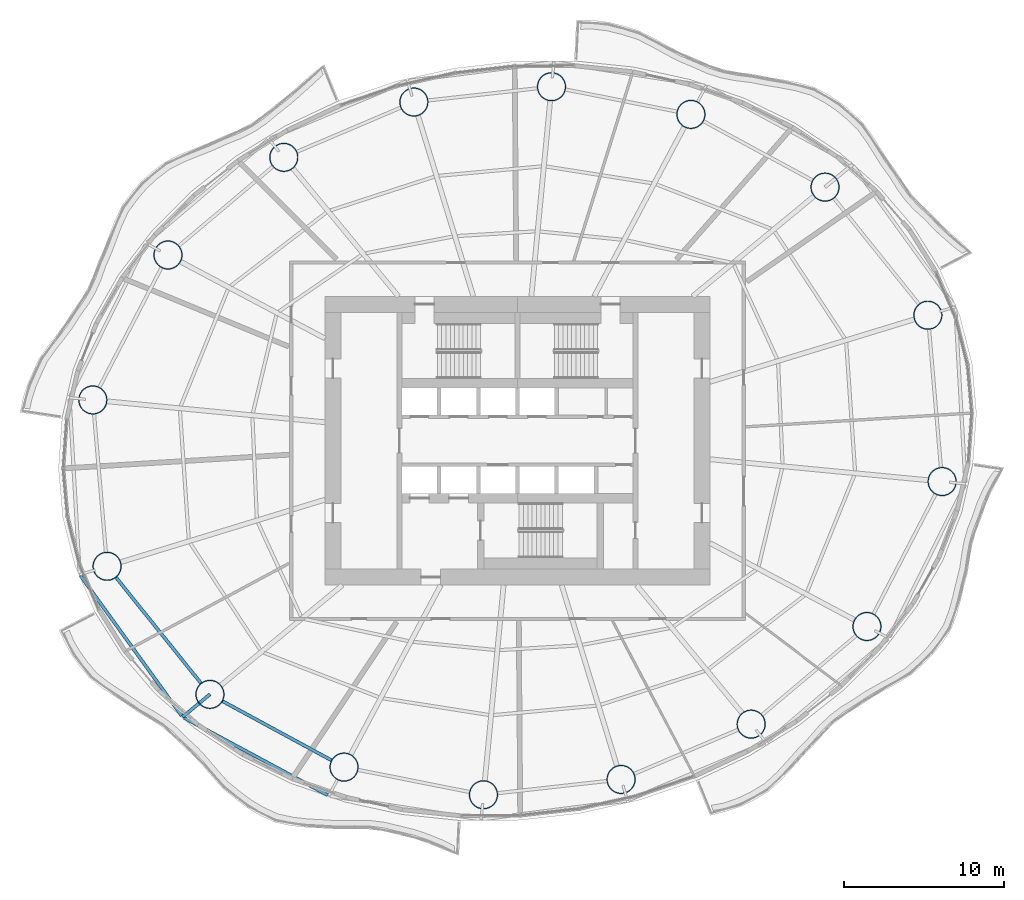
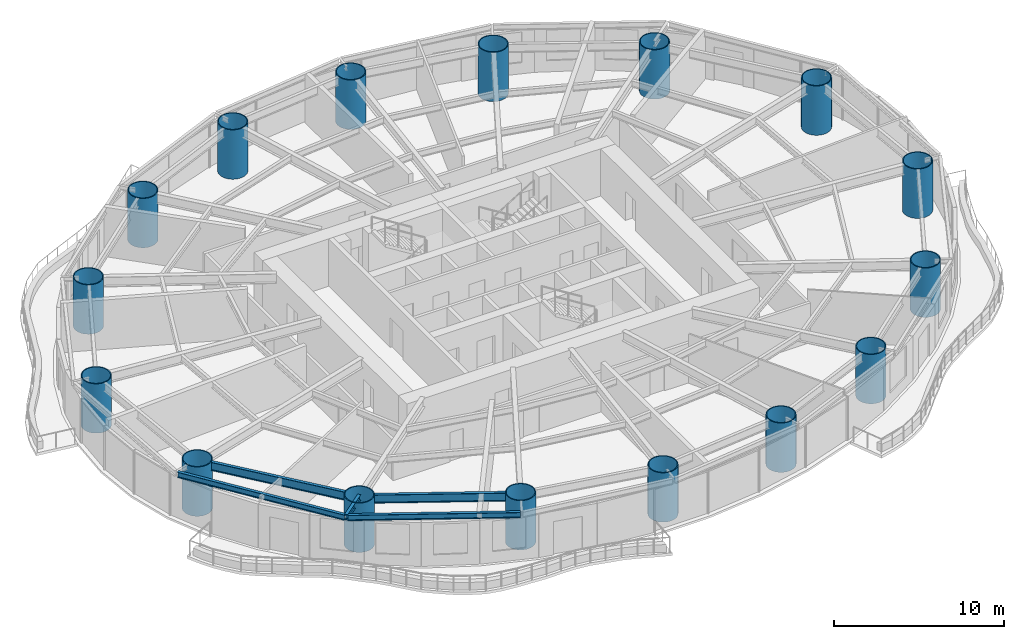
# One storey, part 1 of 16: 16 columns, 5 beams.
"""IFC4 building model written with IfcOpenShell, lengths in metres."""

from ifc_helpers import new_model, si_unit, direction, frame, origin, origin_2d, place, context, subcontext, project, spatial, hollow_circle, i_section, extrude, material, material_profile, profile_set, type_object, element, save


model = new_model("IFC4")

# Units and contexts
model_context = context("Model", 3, precision=1e-05, world=origin(), true_north=direction((0.0, 1.0)))
body_context = subcontext(model_context, "Body", "Model", "MODEL_VIEW")
ifc_project = project(units=[si_unit("LENGTHUNIT", "METRE"), si_unit("AREAUNIT", "SQUARE_METRE"), si_unit("VOLUMEUNIT", "CUBIC_METRE"), si_unit("PLANEANGLEUNIT", "RADIAN"), si_unit("MASSUNIT", "GRAM", prefix="KILO")], contexts=[model_context])

# Site, building, storey
site_placement = place(None, origin())
site = spatial("IfcSite", under=ifc_project, at=site_placement, CompositionType="ELEMENT")
building_placement = place(site_placement, origin())
building = spatial("IfcBuilding", under=site, at=building_placement, Name="Vermilion Reach Broadcast Tower", CompositionType="ELEMENT")
storey_placement = place(building_placement, frame((0.0, 0.0, 73.0)))
storey = spatial("IfcBuildingStorey", under=building, at=storey_placement, Name="L15", CompositionType="ELEMENT", Elevation=73.0)

# Columns
ifc_material_1 = material(Name="Concrete C80 infill in steel S460NL tube", Category="concrete")
ifc_material_profile_1 = material_profile(ifc_material_1, hollow_circle(Radius=0.89990234375, WallThickness=0.06005859375, at=origin_2d()), Name="Concrete C80 infill in steel S460NL tube CFT 1800x60")
ifc_profile_set_1 = profile_set([ifc_material_profile_1], Name="Concrete C80 infill in steel S460NL tube")
column_type = type_object("IfcColumnType", Name="MC1 CFT 1800x60", PredefinedType="COLUMN", material=ifc_profile_set_1)
for number, where, z_axis, x_axis, name in (
    (1, (19.575439453125, 7.823974609375, 0.0), (0.0, 0.0, 1.0), (1.0, 0.0, 0.0), "Mega-column MC1-01"),
    (2, (13.166259765625, 15.804931640625, 0.0), (0.0, 0.0, 1.0), (1.0, 0.0, 0.0), "Mega-column MC1-02"),
    (3, (4.809814453125, 20.3388671875, 0.0), (0.0, 0.0, 1.0), (1.0, 0.0, 0.0), "Mega-column MC1-03"),
    (4, (-3.87939453125, 22.06396484375, 0.0), (0.0, 0.0, 1.0), (1.0, 0.0, 0.0), "Mega-column MC1-04"),
    (5, (-12.45751953125, 21.108154296875, 0.0), (0.0, 0.0, 1.0), (1.0, 0.0, 0.0), "Mega-column MC1-05"),
    (6, (-20.563232421875, 17.660400390625, 0.0), (0.0, 0.0, 1.0), (1.0, 0.0, 0.0), "Mega-column MC1-06"),
    (7, (-27.77978515625, 11.57568359375, 0.0), (0.0, 0.0, 1.0), (1.0, 0.0, 0.0), "Mega-column MC1-07"),
    (8, (-32.464111328125, 2.54345703125, 0.0), (0.0, 0.0, 1.0), (1.0, 0.0, 0.0), "Mega-column MC1-08"),
    (9, (-31.575439453125, -7.823974609375, 0.0), (0.0, 0.0, 1.0), (1.0, 0.0, 0.0), "Mega-column MC1-09"),
    (10, (-25.166259765625, -15.804931640625, 0.0), (0.0, 0.0, 1.0), (1.0, 0.0, 0.0), "Mega-column MC1-10"),
    (11, (-16.809814453125, -20.3388671875, 0.0), (0.0, 0.0, 1.0), (1.0, 0.0, 0.0), "Mega-column MC1-11"),
    (12, (-8.12060546875, -22.06396484375, 0.0), (0.0, 0.0, 1.0), (1.0, 0.0, 0.0), "Mega-column MC1-12"),
    (13, (0.45751953125, -21.108154296875, 0.0), (0.0, 0.0, 1.0), (1.0, 0.0, 0.0), "Mega-column MC1-13"),
    (14, (8.563232421875, -17.660400390625, 0.0), (0.0, 0.0, 1.0), (1.0, 0.0, 0.0), "Mega-column MC1-14"),
    (15, (15.77978515625, -11.57568359375, 0.0), (0.0, 0.0, 1.0), (1.0, 0.0, 0.0), "Mega-column MC1-15"),
    (16, (20.464111328125, -2.54345703125, 0.0), (0.0, 0.0, 1.0), (1.0, 0.0, 0.0), "Mega-column MC1-16"),
):
    element("IfcColumn", number, at=place(storey_placement, frame(where, z_axis=z_axis, x_axis=x_axis)), inside=storey, type_object=column_type, Name=name, PredefinedType="COLUMN", context=body_context, shape_type="SweptSolid", body=[
        extrude(hollow_circle(Radius=0.89990234375, WallThickness=0.06005859375, at=origin_2d()), origin(), (0.0, 0.0, 1.0), 3.550048828125),
    ])

# Beams
ifc_material_2 = material(Name="Steel S355J2", Category="steel")
ifc_material_profile_2 = material_profile(ifc_material_2, i_section(OverallWidth=0.199951171875, OverallDepth=0.39990234375, WebThickness=0.008056640625, FlangeThickness=0.012939453125, at=origin_2d()), Name="S355J2 HN 400x200x8x13")
ifc_profile_set_2 = profile_set([ifc_material_profile_2], Name="Steel S355J2")
beam_type_1 = type_object("IfcBeamType", Name="EB1 HN 400x200x8x13", PredefinedType="BEAM", material=ifc_profile_set_2)
beam_1_placement = place(storey_placement, frame((-33.235595703125, -8.410400390625, 3.35009765625), z_axis=(0.585928681738, -0.810362622483, 0.0), x_axis=(0.810362622483, 0.585928681738, 0.0)))
element("IfcBeam", 17, at=beam_1_placement, inside=storey, type_object=beam_type_1, Name="Edge beam EB1-09", PredefinedType="BEAM", context=body_context, shape_type="SweptSolid", body=[
    extrude(i_section(OverallWidth=0.199951171875, OverallDepth=0.39990234375, WebThickness=0.008056640625, FlangeThickness=0.012939453125, at=origin_2d()), origin(), (0.0, 0.0, 1.0), 10.760498046875),
])
beam_2_placement = place(storey_placement, frame((-26.77685546875, -17.262939453125, 3.35009765625), z_axis=(0.880411739298, -0.474210047665, 0.0), x_axis=(0.474210047665, 0.880411739298, 0.0)))
element("IfcBeam", 18, at=beam_2_placement, inside=storey, type_object=beam_type_1, Name="Edge beam EB1-10", PredefinedType="BEAM", context=body_context, shape_type="SweptSolid", body=[
    extrude(i_section(OverallWidth=0.199951171875, OverallDepth=0.39990234375, WebThickness=0.008056640625, FlangeThickness=0.012939453125, at=origin_2d()), origin(), (0.0, 0.0, 1.0), 10.170166015625),
])
ifc_material_3 = material(Name="Steel S355J2", Category="steel")
ifc_material_profile_3 = material_profile(ifc_material_3, i_section(OverallWidth=0.199951171875, OverallDepth=0.39990234375, WebThickness=0.008056640625, FlangeThickness=0.012939453125, at=origin_2d()), Name="S355J2 HN 400x200x8x13")
ifc_profile_set_3 = profile_set([ifc_material_profile_3], Name="Steel S355J2")
beam_type_2 = type_object("IfcBeamType", Name="GC1 HN 400x200x8x13", PredefinedType="BEAM", material=ifc_profile_set_3)
beam_3_placement = place(storey_placement, frame((-25.166259765625, -15.804931640625, 3.35009765625), z_axis=(-0.771451874257, -0.636287675274, 0.0), x_axis=(0.636287675274, -0.771451874257, 0.0)))
element("IfcBeam", 19, at=beam_3_placement, inside=storey, type_object=beam_type_2, Name="Cantilever girder GC1-10", PredefinedType="BEAM", context=body_context, shape_type="SweptSolid", body=[
    extrude(i_section(OverallWidth=0.199951171875, OverallDepth=0.39990234375, WebThickness=0.008056640625, FlangeThickness=0.012939453125, at=origin_2d()), origin(), (0.0, 0.0, 1.0), 2.2109375),
])
ifc_material_4 = material(Name="Steel S355J2", Category="steel")
ifc_material_profile_4 = material_profile(ifc_material_4, i_section(OverallWidth=0.199951171875, OverallDepth=0.60009765625, WebThickness=0.010986328125, FlangeThickness=0.01708984375, at=origin_2d()), Name="S355J2 HN 600x200x11x17")
ifc_profile_set_4 = profile_set([ifc_material_profile_4], Name="Steel S355J2")
beam_type_3 = type_object("IfcBeamType", Name="RB1 HN 600x200x11x17", PredefinedType="BEAM", material=ifc_profile_set_4)
beam_4_placement = place(storey_placement, frame((-31.011962890625, -8.52587890625, 3.25), z_axis=(0.626162157191, -0.779692858055, 0.0), x_axis=(0.779692858055, 0.626162157191, 0.0)))
element("IfcBeam", 20, at=beam_4_placement, inside=storey, type_object=beam_type_3, Name="Ring beam RB1-09", PredefinedType="BEAM", context=body_context, shape_type="SweptSolid", body=[
    extrude(i_section(OverallWidth=0.199951171875, OverallDepth=0.60009765625, WebThickness=0.010986328125, FlangeThickness=0.01708984375, at=origin_2d()), origin(), (0.0, 0.0, 1.0), 8.435791015625),
])
beam_5_placement = place(storey_placement, frame((-24.375244140625, -16.234130859375, 3.25), z_axis=(0.878962319551, -0.476891225344, 0.0), x_axis=(0.476891225344, 0.878962319551, 0.0)))
element("IfcBeam", 21, at=beam_5_placement, inside=storey, type_object=beam_type_3, Name="Ring beam RB1-10", PredefinedType="BEAM", context=body_context, shape_type="SweptSolid", body=[
    extrude(i_section(OverallWidth=0.199951171875, OverallDepth=0.60009765625, WebThickness=0.010986328125, FlangeThickness=0.01708984375, at=origin_2d()), origin(), (0.0, 0.0, 1.0), 7.707275390625),
])

save(model, "model.ifc")
